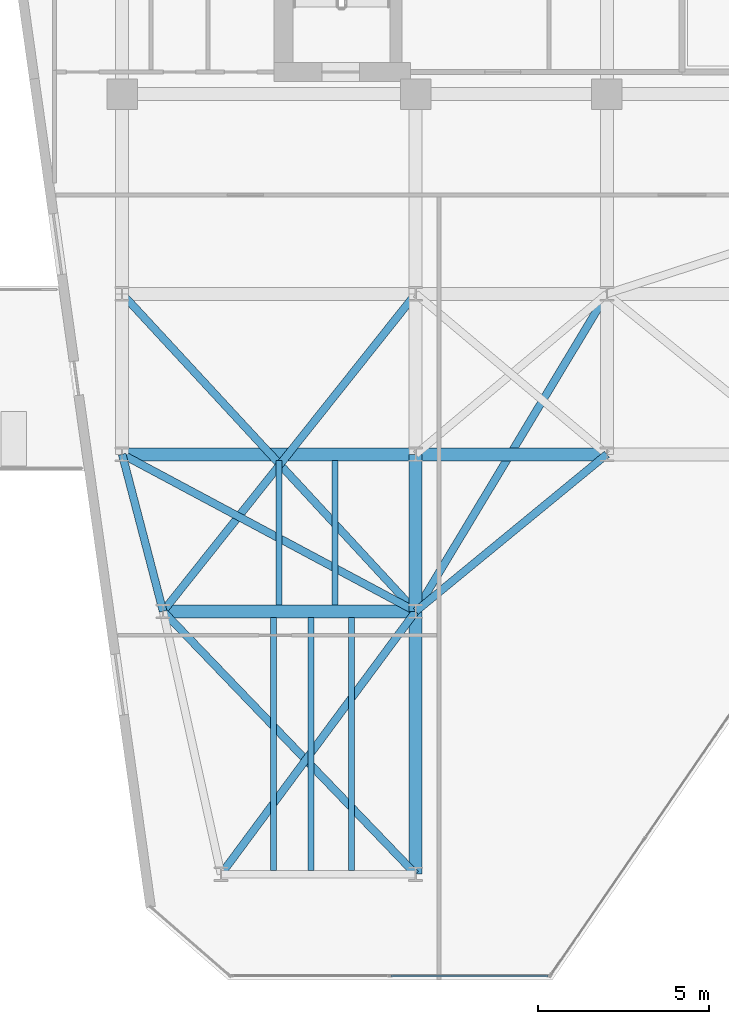
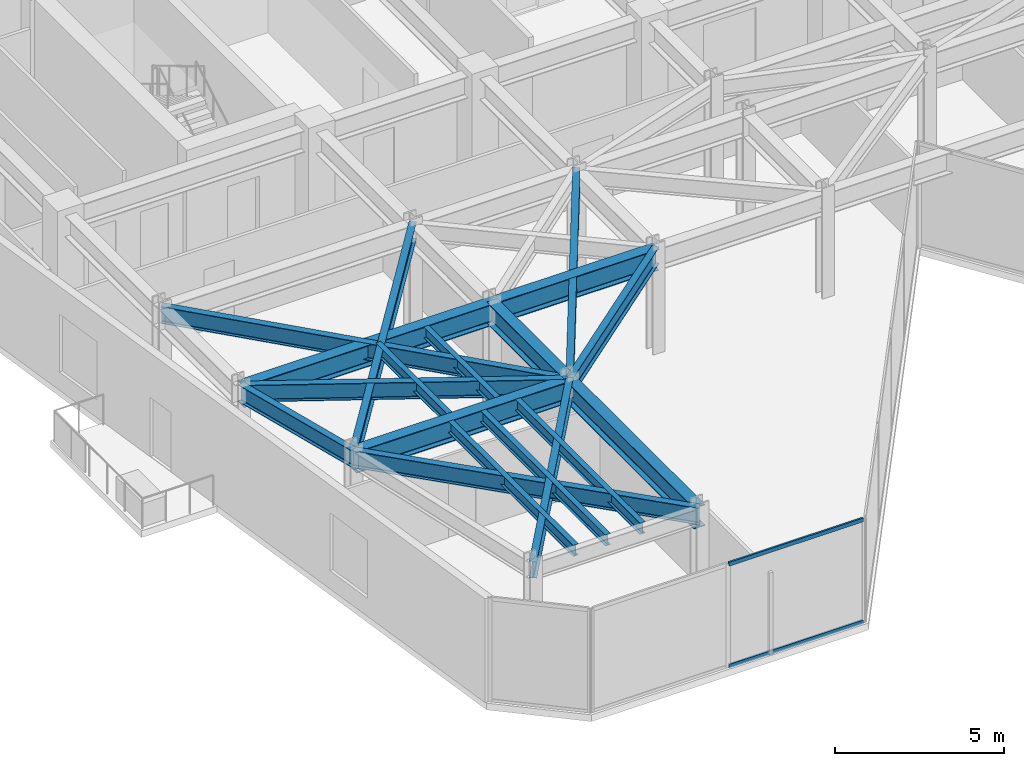
# One storey, part 3 of 21: 18 beams, 2 members, 1 element without a shape of its own.
"""IFC4 building model written with IfcOpenShell, lengths in metres."""

from ifc_helpers import new_model, si_unit, direction, frame, origin, origin_2d, place, context, subcontext, project, spatial, hollow_rectangle, i_section, extrude, material, layer, layer_set, material_profile, profile_set, type_object, element, aggregate, save


model = new_model("IFC4")

# Units and contexts
model_context = context("Model", 3, precision=1e-05, world=origin(), true_north=direction((0.0, 1.0)))
body_context = subcontext(model_context, "Body", "Model", "MODEL_VIEW")
ifc_project = project(units=[si_unit("LENGTHUNIT", "METRE"), si_unit("AREAUNIT", "SQUARE_METRE"), si_unit("VOLUMEUNIT", "CUBIC_METRE"), si_unit("PLANEANGLEUNIT", "RADIAN"), si_unit("MASSUNIT", "GRAM", prefix="KILO")], contexts=[model_context])

# Site, building, storey
site_placement = place(None, origin())
site = spatial("IfcSite", under=ifc_project, at=site_placement, CompositionType="ELEMENT")
building_placement = place(site_placement, origin())
building = spatial("IfcBuilding", under=site, at=building_placement, Name="Kravanh Interchange Tower", CompositionType="ELEMENT")
storey_placement = place(building_placement, frame((0.0, 0.0, 176.5)))
storey = spatial("IfcBuildingStorey", under=building, at=storey_placement, Name="L42", CompositionType="ELEMENT", Elevation=176.5)

# Curtain wall, members
ifc_material_1 = material(Name="Anodised Bronze Aluminium", Category="aluminium")
ifc_layer = layer(ifc_material_1, 0.179931640625)
ifc_layer_set = layer_set([ifc_layer], Name="Unitised Curtain Wall System CW-Z3 Upper Office")
curtain_wall_type = type_object("IfcCurtainWallType", Name="Unitised Curtain Wall System CW-Z3 Upper Office", PredefinedType="NOTDEFINED", material=ifc_layer_set)
curtain_wall_placement = place(storey_placement, origin())
curtain_wall = element("IfcCurtainWall", 1, at=curtain_wall_placement, inside=storey, type_object=curtain_wall_type, Name="L42 Unitised Curtain Wall CW-L42-05", PredefinedType="NOTDEFINED")
ifc_material_2 = material(Name="Anodised Bronze Aluminium", Category="aluminium")
ifc_material_profile_1 = material_profile(ifc_material_2, hollow_rectangle(XDim=0.06005859375, YDim=0.139892578125, WallThickness=0.00390625, at=origin_2d()), Name="ALU60X140X4")
ifc_profile_set_1 = profile_set([ifc_material_profile_1], Name="Anodised Bronze Aluminium")
member_type = type_object("IfcMemberType", Name="Curtain Wall Transom ALU60X140X4 Bronze", PredefinedType="USERDEFINED", material=ifc_profile_set_1)
member_1_placement = place(storey_placement, frame((31.076904296875, 11.52001953125, 0.030029296875), z_axis=(-1.0, 0.0, 0.0), x_axis=(0.0, -1.0, 0.0)))
member_1 = element("IfcMember", 2, at=member_1_placement, type_object=member_type, Name="CW-Z3 transom 1.1", ObjectType="TRANSOM", PredefinedType="USERDEFINED", context=body_context, shape_type="SweptSolid", body=[
    extrude(hollow_rectangle(XDim=0.06005859375, YDim=0.139892578125, WallThickness=0.00390625, at=origin_2d()), origin(), (0.0, 0.0, 1.0), 4.598876953125),
])
member_2_placement = place(storey_placement, frame((31.076904296875, 11.52001953125, 3.72509765625), z_axis=(-1.0, 0.0, 0.0), x_axis=(0.0, -1.0, 0.0)))
member_2 = element("IfcMember", 3, at=member_2_placement, type_object=member_type, Name="CW-Z3 transom 1.2", ObjectType="TRANSOM", PredefinedType="USERDEFINED", context=body_context, shape_type="SweptSolid", body=[
    extrude(hollow_rectangle(XDim=0.06005859375, YDim=0.139892578125, WallThickness=0.00390625, at=origin_2d()), origin(), (0.0, 0.0, 1.0), 4.598876953125),
])
aggregate(curtain_wall, [member_1, member_2])

# Beams
ifc_material_3 = material(Name="Structural Steel S355", Category="steel")
ifc_material_profile_2 = material_profile(ifc_material_3, i_section(OverallWidth=0.381103515625, OverallDepth=0.77294921875, WebThickness=0.0166015625, FlangeThickness=0.027099609375, FilletRadius=0.02490234375, at=origin_2d()), Name="W30X173")
ifc_profile_set_2 = profile_set([ifc_material_profile_2], Name="Structural Steel S355")
beam_type_1 = type_object("IfcBeamType", Name="Floor Beam W30X173 Structural Steel S355", PredefinedType="BEAM", material=ifc_profile_set_2)
beam_1_placement = place(storey_placement, frame((18.60009765625, 26.800048828125, 3.368408203125), z_axis=(1.0, 0.0, 0.0), x_axis=(0.0, 1.0, 0.0)))
element("IfcBeam", 4, at=beam_1_placement, inside=storey, type_object=beam_type_1, Name="L42 Primary Floor Girder 35", PredefinedType="BEAM", context=body_context, shape_type="SweptSolid", body=[
    extrude(i_section(OverallWidth=0.381103515625, OverallDepth=0.77294921875, WebThickness=0.0166015625, FlangeThickness=0.027099609375, FilletRadius=0.02490234375, at=origin_2d()), origin(), (0.0, 0.0, 1.0), 8.599853515625),
])
beam_2_placement = place(storey_placement, frame((27.199951171875, 26.800048828125, 3.368408203125), z_axis=(0.0, -1.0, 0.0), x_axis=(1.0, 0.0, 0.0)))
element("IfcBeam", 5, at=beam_2_placement, inside=storey, type_object=beam_type_1, Name="L42 Primary Floor Girder 37", PredefinedType="BEAM", context=body_context, shape_type="SweptSolid", body=[
    extrude(i_section(OverallWidth=0.381103515625, OverallDepth=0.77294921875, WebThickness=0.0166015625, FlangeThickness=0.027099609375, FilletRadius=0.02490234375, at=origin_2d()), origin(), (0.0, 0.0, 1.0), 4.60009765625),
])
beam_3_placement = place(storey_placement, frame((27.199951171875, 26.800048828125, 3.368408203125), z_axis=(1.0, 0.0, 0.0), x_axis=(0.0, 1.0, 0.0)))
element("IfcBeam", 6, at=beam_3_placement, inside=storey, type_object=beam_type_1, Name="L42 Primary Floor Girder 39", PredefinedType="BEAM", context=body_context, shape_type="SweptSolid", body=[
    extrude(i_section(OverallWidth=0.381103515625, OverallDepth=0.77294921875, WebThickness=0.0166015625, FlangeThickness=0.027099609375, FilletRadius=0.02490234375, at=origin_2d()), origin(), (0.0, 0.0, 1.0), 5.60009765625),
])
beam_4_placement = place(storey_placement, frame((27.199951171875, 14.5, 3.368408203125), z_axis=(0.0, 1.0, 0.0), x_axis=(-1.0, 0.0, 0.0)))
element("IfcBeam", 7, at=beam_4_placement, inside=storey, type_object=beam_type_1, Name="L42 Primary Floor Girder 70", PredefinedType="BEAM", context=body_context, shape_type="SweptSolid", body=[
    extrude(i_section(OverallWidth=0.381103515625, OverallDepth=0.77294921875, WebThickness=0.0166015625, FlangeThickness=0.027099609375, FilletRadius=0.02490234375, at=origin_2d()), origin(), (0.0, 0.0, 1.0), 7.699951171875),
])
beam_5_placement = place(storey_placement, frame((19.800048828125, 22.199951171875, 3.368408203125), z_axis=(1.0, 0.0, 0.0), x_axis=(0.0, 1.0, 0.0)))
element("IfcBeam", 8, at=beam_5_placement, inside=storey, type_object=beam_type_1, Name="L42 Primary Floor Girder 91", PredefinedType="BEAM", context=body_context, shape_type="SweptSolid", body=[
    extrude(i_section(OverallWidth=0.381103515625, OverallDepth=0.77294921875, WebThickness=0.0166015625, FlangeThickness=0.027099609375, FilletRadius=0.02490234375, at=origin_2d()), origin(), (0.0, 0.0, 1.0), 7.39990234375),
])
ifc_material_4 = material(Name="Structural Steel S355", Category="steel")
ifc_material_profile_3 = material_profile(ifc_material_4, i_section(OverallWidth=0.177978515625, OverallDepth=0.406005859375, WebThickness=0.0078125, FlangeThickness=0.0126953125, FilletRadius=0.01611328125, at=origin_2d()), Name="W16X40")
ifc_profile_set_3 = profile_set([ifc_material_profile_3], Name="Structural Steel S355")
beam_type_2 = type_object("IfcBeamType", Name="Floor Joist W16X40 Structural Steel S355", PredefinedType="JOIST", material=ifc_profile_set_3)
for number, where, z_axis, x_axis, name in (
    (9, (23.030029296875, 14.60888671875, 3.552001953125), (0.0, 1.0, 0.0), (-1.0, 0.0, 0.0), "L42 Secondary Floor Joist 1"),
    (10, (24.1298828125, 14.60888671875, 3.552001953125), (0.0, 1.0, 0.0), (-1.0, 0.0, 0.0), "L42 Secondary Floor Joist 2"),
    (11, (25.318115234375, 14.60888671875, 3.552001953125), (0.0, 1.0, 0.0), (-1.0, 0.0, 0.0), "L42 Secondary Floor Joist 3"),
):
    element("IfcBeam", number, at=place(storey_placement, frame(where, z_axis=z_axis, x_axis=x_axis)), inside=storey, type_object=beam_type_2, Name=name, PredefinedType="JOIST", context=body_context, shape_type="SweptSolid", body=[
        extrude(i_section(OverallWidth=0.177978515625, OverallDepth=0.406005859375, WebThickness=0.0078125, FlangeThickness=0.0126953125, FilletRadius=0.01611328125, at=origin_2d()), origin(), (0.0, 0.0, 1.0), 7.405517578125),
    ])
for number, where, z_axis, x_axis, name in (
    (12, (23.195068359375, 22.385498046875, 3.552001953125), (0.0, 1.0, 0.0), (-1.0, 0.0, 0.0), "L42 Secondary Floor Joist 8"),
    (13, (24.842041015625, 22.385498046875, 3.552001953125), (0.0, 1.0, 0.0), (-1.0, 0.0, 0.0), "L42 Secondary Floor Joist 9"),
):
    element("IfcBeam", number, at=place(storey_placement, frame(where, z_axis=z_axis, x_axis=x_axis)), inside=storey, type_object=beam_type_2, Name=name, PredefinedType="JOIST", context=body_context, shape_type="SweptSolid", body=[
        extrude(i_section(OverallWidth=0.177978515625, OverallDepth=0.406005859375, WebThickness=0.0078125, FlangeThickness=0.0126953125, FilletRadius=0.01611328125, at=origin_2d()), origin(), (0.0, 0.0, 1.0), 4.22900390625),
    ])
ifc_material_5 = material(Name="Structural Steel S355", Category="steel")
ifc_material_profile_4 = material_profile(ifc_material_5, i_section(OverallWidth=0.22802734375, OverallDepth=0.60791015625, WebThickness=0.01123046875, FlangeThickness=0.017333984375, FilletRadius=0.02197265625, at=origin_2d()), Name="W24X76")
ifc_profile_set_4 = profile_set([ifc_material_profile_4], Name="Structural Steel S355")
beam_type_3 = type_object("IfcBeamType", Name="Floor Spandrel W24X76 Structural Steel S355", PredefinedType="SPANDREL", material=ifc_profile_set_4)
beam_6_placement = place(storey_placement, frame((21.5, 14.5, 3.450927734375), z_axis=(0.59497703726, 0.803742698339, 0.0), x_axis=(-0.803742698339, 0.59497703726, 0.0)))
element("IfcBeam", 14, at=beam_6_placement, inside=storey, type_object=beam_type_3, Name="L42 Perimeter Spandrel 32", PredefinedType="SPANDREL", context=body_context, shape_type="SweptSolid", body=[
    extrude(i_section(OverallWidth=0.22802734375, OverallDepth=0.60791015625, WebThickness=0.01123046875, FlangeThickness=0.017333984375, FilletRadius=0.02197265625, at=origin_2d()), origin(), (0.0, 0.0, 1.0), 9.580078125),
])
beam_7_placement = place(storey_placement, frame((18.60009765625, 26.800048828125, 3.450927734375), z_axis=(0.252407263364, -0.967621089787, 0.0), x_axis=(0.967621089787, 0.252407263364, 0.0)))
element("IfcBeam", 15, at=beam_7_placement, inside=storey, type_object=beam_type_3, Name="L42 Perimeter Spandrel 34", PredefinedType="SPANDREL", context=body_context, shape_type="SweptSolid", body=[
    extrude(i_section(OverallWidth=0.22802734375, OverallDepth=0.60791015625, WebThickness=0.01123046875, FlangeThickness=0.017333984375, FilletRadius=0.02197265625, at=origin_2d()), origin(), (0.0, 0.0, 1.0), 4.75390625),
])
beam_8_placement = place(storey_placement, frame((18.60009765625, 26.800048828125, 3.450927734375), z_axis=(0.881777136221, -0.471666282489, 0.0), x_axis=(0.471666282489, 0.881777136221, 0.0)))
element("IfcBeam", 16, at=beam_8_placement, inside=storey, type_object=beam_type_3, Name="L42 Perimeter Spandrel 36", PredefinedType="SPANDREL", context=body_context, shape_type="SweptSolid", body=[
    extrude(i_section(OverallWidth=0.22802734375, OverallDepth=0.60791015625, WebThickness=0.01123046875, FlangeThickness=0.017333984375, FilletRadius=0.02197265625, at=origin_2d()), origin(), (0.0, 0.0, 1.0), 9.7529296875),
])
beam_9_placement = place(storey_placement, frame((32.800048828125, 26.800048828125, 3.450927734375), z_axis=(-0.772725074305, -0.634740860147, 0.0), x_axis=(0.634740860147, -0.772725074305, 0.0)))
element("IfcBeam", 17, at=beam_9_placement, inside=storey, type_object=beam_type_3, Name="L42 Perimeter Spandrel 43", PredefinedType="SPANDREL", context=body_context, shape_type="SweptSolid", body=[
    extrude(i_section(OverallWidth=0.22802734375, OverallDepth=0.60791015625, WebThickness=0.01123046875, FlangeThickness=0.017333984375, FilletRadius=0.02197265625, at=origin_2d()), origin(), (0.0, 0.0, 1.0), 7.247314453125),
])
beam_10_placement = place(storey_placement, frame((18.60009765625, 31.5, 3.450927734375), z_axis=(0.678927458783, -0.734205356634, 0.0), x_axis=(0.734205356634, 0.678927458783, 0.0)))
element("IfcBeam", 18, at=beam_10_placement, inside=storey, type_object=beam_type_3, Name="L42 Perimeter Spandrel 63", PredefinedType="SPANDREL", context=body_context, shape_type="SweptSolid", body=[
    extrude(i_section(OverallWidth=0.22802734375, OverallDepth=0.60791015625, WebThickness=0.01123046875, FlangeThickness=0.017333984375, FilletRadius=0.02197265625, at=origin_2d()), origin(), (0.0, 0.0, 1.0), 12.666748046875),
])
beam_11_placement = place(storey_placement, frame((27.199951171875, 31.5, 3.450927734375), z_axis=(-0.622633646541, -0.782513477324, 0.0), x_axis=(0.782513477324, -0.622633646541, 0.0)))
element("IfcBeam", 19, at=beam_11_placement, inside=storey, type_object=beam_type_3, Name="L42 Perimeter Spandrel 66", PredefinedType="SPANDREL", context=body_context, shape_type="SweptSolid", body=[
    extrude(i_section(OverallWidth=0.22802734375, OverallDepth=0.60791015625, WebThickness=0.01123046875, FlangeThickness=0.017333984375, FilletRadius=0.02197265625, at=origin_2d()), origin(), (0.0, 0.0, 1.0), 11.884765625),
])
beam_12_placement = place(storey_placement, frame((32.800048828125, 31.5, 3.450927734375), z_axis=(-0.515854375109, -0.856676288735, 0.0), x_axis=(0.856676288735, -0.515854375109, 0.0)))
element("IfcBeam", 20, at=beam_12_placement, inside=storey, type_object=beam_type_3, Name="L42 Perimeter Spandrel 69", PredefinedType="SPANDREL", context=body_context, shape_type="SweptSolid", body=[
    extrude(i_section(OverallWidth=0.22802734375, OverallDepth=0.60791015625, WebThickness=0.01123046875, FlangeThickness=0.017333984375, FilletRadius=0.02197265625, at=origin_2d()), origin(), (0.0, 0.0, 1.0), 10.85595703125),
])
beam_13_placement = place(storey_placement, frame((27.199951171875, 14.5, 3.450927734375), z_axis=(-0.692919091225, 0.721015348669, 0.0), x_axis=(-0.721015348669, -0.692919091225, 0.0)))
element("IfcBeam", 21, at=beam_13_placement, inside=storey, type_object=beam_type_3, Name="L42 Perimeter Spandrel 71", PredefinedType="SPANDREL", context=body_context, shape_type="SweptSolid", body=[
    extrude(i_section(OverallWidth=0.22802734375, OverallDepth=0.60791015625, WebThickness=0.01123046875, FlangeThickness=0.017333984375, FilletRadius=0.02197265625, at=origin_2d()), origin(), (0.0, 0.0, 1.0), 10.67919921875),
])

save(model, "model.ifc")
